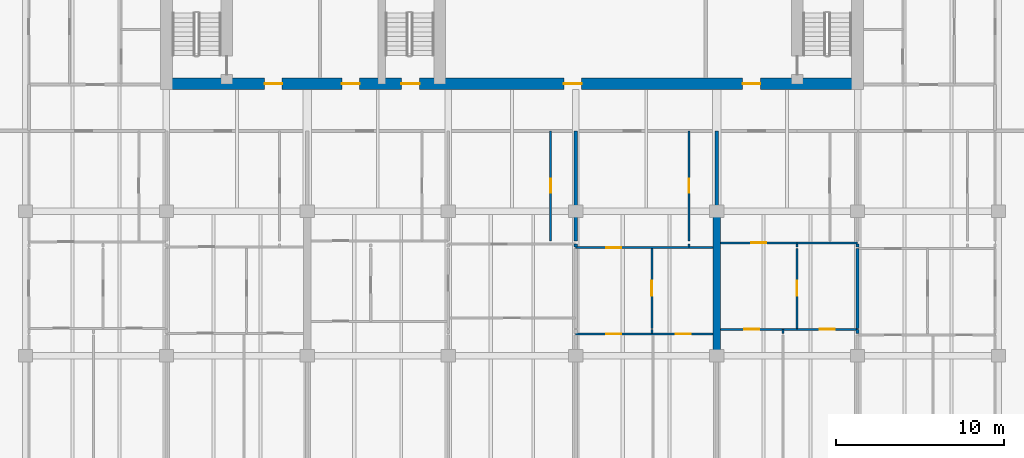
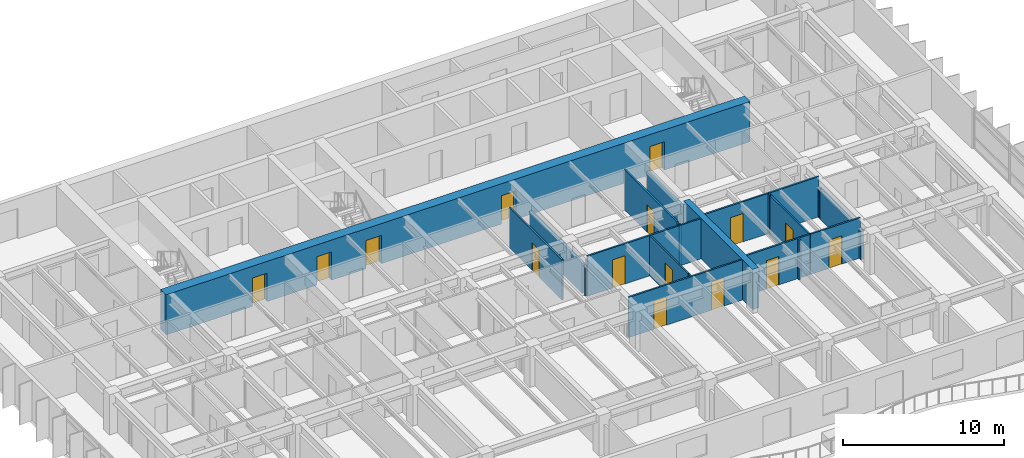
# One storey, part 11 of 19: 22 walls, 15 doors, 15 openings.
"""IFC4 building model written with IfcOpenShell, lengths in metres."""

import ifcopenshell
import ifcopenshell.guid

model = None  # the IFC model being written
_history = None  # IfcOwnerHistory: only IFC2X3 demands one
_inside = {}  # id of a spatial element -> (the spatial element, [elements in it])
_under = {}  # id of a project, library or spatial element -> (it, [spatial elements below it])
_declared = {}  # id of a project -> (the project, [libraries it declares])
_typed = {}  # id of a type object -> (the type object, [elements of that type])
_made_of = {}  # id of a material, layer set ... -> (it, [elements and type objects made of it])


def new_model(schema):
    """Start an empty IFC model of exactly this schema.

    Asked for "IFC4X3", IfcOpenShell would pick the latest addendum, in which some entities
    have other attributes; the version numbers below select the first issue.
    IFC2X3 requires an IfcOwnerHistory on every rooted entity: one is made here for all.
    """
    global model, _history
    if schema == "IFC4X3":
        model = ifcopenshell.file(schema_version=(4, 3, 0, 0))
    else:
        model = ifcopenshell.file(schema=schema)
    _inside.clear()
    _under.clear()
    _declared.clear()
    _typed.clear()
    _made_of.clear()
    _history = None
    if model.schema == "IFC2X3":
        org = make("IfcOrganization", Name="unknown")
        user = make(
            "IfcPersonAndOrganization",
            ThePerson=make("IfcPerson", FamilyName="unknown"),
            TheOrganization=org,
        )
        app = make(
            "IfcApplication",
            ApplicationDeveloper=org,
            Version="unknown",
            ApplicationFullName="unknown",
            ApplicationIdentifier="unknown",
        )
        _history = make(
            "IfcOwnerHistory",
            OwningUser=user,
            OwningApplication=app,
            ChangeAction="ADDED",
            CreationDate=0,
        )
    return model


def make(cls, **values):
    """One entity of the class cls with the attributes given. An attribute that is None is left unset."""
    return model.create_entity(
        cls, **{name: value for name, value in values.items() if value is not None}
    )


def rooted(cls, **values):
    """An entity with a GlobalId (a new one), such as an element, a storey or a relation."""
    return make(cls, GlobalId=ifcopenshell.guid.new(), OwnerHistory=_history, **values)


def si_unit(unit_type, name, prefix=None):
    """IfcSIUnit, for example si_unit("LENGTHUNIT", "METRE", prefix="MILLI")."""
    return make("IfcSIUnit", UnitType=unit_type, Prefix=prefix, Name=name)


def assignment(units):
    """IfcUnitAssignment: the units of a project."""
    return None if units is None else make("IfcUnitAssignment", Units=units)


def point(xyz):
    """IfcCartesianPoint."""
    return None if xyz is None else make("IfcCartesianPoint", Coordinates=xyz)


def direction(xyz):
    """IfcDirection."""
    return None if xyz is None else make("IfcDirection", DirectionRatios=xyz)


def frame(location, z_axis=None, x_axis=None):
    """IfcAxis2Placement3D, a coordinate frame: its origin and axes. An axis left out is left unset."""
    return make(
        "IfcAxis2Placement3D",
        Location=point(location),
        Axis=direction(z_axis),
        RefDirection=direction(x_axis),
    )


def frame_2d(location, x_axis=None):
    """IfcAxis2Placement2D, a coordinate frame in the plane: its origin and x axis."""
    return make(
        "IfcAxis2Placement2D", Location=point(location), RefDirection=direction(x_axis)
    )


def origin():
    """The frame at (0, 0, 0) with its axes left unset."""
    return frame((0.0, 0.0, 0.0))


def place(relative_to, where):
    """IfcLocalPlacement: puts the frame where relative to a parent placement (None: the world)."""
    return make(
        "IfcLocalPlacement", PlacementRelTo=relative_to, RelativePlacement=where
    )


def context(
    kind, dimensions, precision=None, world=None, true_north=None, identifier=None
):
    """IfcGeometricRepresentationContext, for example the 3D "Model" context."""
    return make(
        "IfcGeometricRepresentationContext",
        ContextIdentifier=identifier,
        ContextType=kind,
        CoordinateSpaceDimension=dimensions,
        Precision=precision,
        WorldCoordinateSystem=world,
        TrueNorth=true_north,
    )


def subcontext(parent, identifier, kind, view, scale=None):
    """IfcGeometricRepresentationSubContext, for example "Body" below "Model"."""
    return make(
        "IfcGeometricRepresentationSubContext",
        ContextIdentifier=identifier,
        ContextType=kind,
        ParentContext=parent,
        TargetScale=scale,
        TargetView=view,
    )


def project(units=None, contexts=None):
    """IfcProject with its units and contexts."""
    return rooted(
        "IfcProject",
        Name="project",
        RepresentationContexts=contexts,
        UnitsInContext=assignment(units),
    )


def spatial(cls, under=None, at=None, **own):
    """A site, building, storey or space (cls), placed at a placement, below another one or the project."""
    s = rooted(cls, ObjectPlacement=at, **own)
    if under is not None:
        _under.setdefault(under.id(), (under, []))[1].append(s)
    return s


def profile(cls, at=None, kind="AREA", **sizes):
    """A parametric profile (cls). Its sizes go by their IFC names, for example OverallWidth=200.0."""
    return make(cls, ProfileType=kind, Position=at, **sizes)


def rectangle(**sizes):
    """IfcRectangleProfileDef."""
    return profile("IfcRectangleProfileDef", **sizes)


def extrude(swept, where, along, depth):
    """IfcExtrudedAreaSolid: the profile swept, set in the frame where, extruded along a direction by depth."""
    return make(
        "IfcExtrudedAreaSolid",
        SweptArea=swept,
        Position=where,
        ExtrudedDirection=direction(along),
        Depth=depth,
    )


def shape(context_of_items, identifier, shape_type, items):
    """IfcShapeRepresentation: the items that make up one representation, for example the "Body"."""
    return make(
        "IfcShapeRepresentation",
        ContextOfItems=context_of_items,
        RepresentationIdentifier=identifier,
        RepresentationType=shape_type,
        Items=items,
    )


def material(Name=None, Category=None):
    """IfcMaterial."""
    return make("IfcMaterial", Name=Name, Category=Category)


def layer(
    of_material, thickness, ventilated=None, Name=None, Category=None, Priority=None
):
    """IfcMaterialLayer: one layer of a wall or slab, of a material (None: an air gap)."""
    return make(
        "IfcMaterialLayer",
        Material=of_material,
        LayerThickness=thickness,
        IsVentilated=ventilated,
        Name=Name,
        Category=Category,
        Priority=Priority,
    )


def layer_set(layers, Name=None):
    """IfcMaterialLayerSet."""
    return make("IfcMaterialLayerSet", MaterialLayers=layers, LayerSetName=Name)


def made_of(thing, what):
    """Note that an element or type object is made of a material, layer set ...; save() writes the relation."""
    if what is not None:
        _made_of.setdefault(what.id(), (what, []))[1].append(thing)
    return thing


def type_object(cls, material=None, **own):
    """A type object (cls), such as IfcWallType, which elements share."""
    return made_of(rooted(cls, **own), material)


def element(
    cls,
    number,
    at=None,
    inside=None,
    cuts=None,
    type_object=None,
    material=None,
    context=None,
    identifier="Body",
    shape_type=None,
    held_by="IfcProductDefinitionShape",
    body=None,
    shapes=None,
    **own,
):
    """One element of the class cls, such as IfcWall. Its Tag is "e" and its number.

    at: its placement. inside: the storey or other place that contains it. cuts: it is an
    opening in that element (IfcRelVoidsElement). A single representation is given by context,
    identifier, shape_type and body (its items); several are given by shapes. held_by: the class
    of the entity that holds the representations. save() writes the other relations.
    """
    e = rooted(cls, Tag="e%d" % number, ObjectPlacement=at, **own)
    if body is not None:
        shapes = [shape(context, identifier, shape_type, body)]
    if shapes is not None:
        e.Representation = make(held_by, Representations=shapes)
    if inside is not None:
        _inside.setdefault(inside.id(), (inside, []))[1].append(e)
    if cuts is not None:
        rooted(
            "IfcRelVoidsElement", RelatingBuildingElement=cuts, RelatedOpeningElement=e
        )
    if type_object is not None:
        _typed.setdefault(type_object.id(), (type_object, []))[1].append(e)
    return made_of(e, material)


def fill(opening, filler):
    """IfcRelFillsElement: the door or window that sits in an opening."""
    return rooted(
        "IfcRelFillsElement",
        RelatingOpeningElement=opening,
        RelatedBuildingElement=filler,
    )


def aggregate(whole, parts):
    """IfcRelAggregates: a whole, such as a stair, and the parts it consists of."""
    return rooted("IfcRelAggregates", RelatingObject=whole, RelatedObjects=parts)


def save(model, path):
    """Write the relations noted so far, then the file.

    IfcRelAggregates (storeys below a building ...), IfcRelContainedInSpatialStructure (elements
    in a storey), IfcRelDefinesByType, IfcRelAssociatesMaterial and IfcRelDeclares: one each for
    every whole, place, type object, material and project.
    """
    for whole, parts in _under.values():
        aggregate(whole, parts)
    for where, things in _inside.values():
        rooted(
            "IfcRelContainedInSpatialStructure",
            RelatedElements=things,
            RelatingStructure=where,
        )
    for kind, things in _typed.values():
        rooted("IfcRelDefinesByType", RelatedObjects=things, RelatingType=kind)
    for what, things in _made_of.values():
        rooted("IfcRelAssociatesMaterial", RelatedObjects=things, RelatingMaterial=what)
    for by, libraries in _declared.values():
        rooted("IfcRelDeclares", RelatingContext=by, RelatedDefinitions=libraries)
    model.write(path)


model = new_model("IFC4")

# Units and contexts
model_context = context("Model", 3, precision=1e-05, world=origin(), true_north=direction((0.0, 1.0)))
body_context = subcontext(model_context, "Body", "Model", "MODEL_VIEW")
ifc_project = project(units=[si_unit("LENGTHUNIT", "METRE"), si_unit("AREAUNIT", "SQUARE_METRE"), si_unit("VOLUMEUNIT", "CUBIC_METRE"), si_unit("PLANEANGLEUNIT", "RADIAN"), si_unit("MASSUNIT", "GRAM", prefix="KILO")], contexts=[model_context])

# Site, building, storey
site_placement = place(None, origin())
site = spatial("IfcSite", under=ifc_project, at=site_placement, CompositionType="ELEMENT")
building_placement = place(site_placement, origin())
building = spatial("IfcBuilding", under=site, at=building_placement, Name="Caelmar Bay Residences", CompositionType="ELEMENT")
storey_placement = place(building_placement, frame((0.0, 0.0, 160.5)))
storey = spatial("IfcBuildingStorey", under=building, at=storey_placement, Name="L44", CompositionType="ELEMENT", Elevation=160.5)

# Wall, openings, doors
ifc_material_1 = material(Name="Concrete f'c 55 MPa (8,000 psi)", Category="concrete")
ifc_layer_1 = layer(ifc_material_1, 0.699951171875)
ifc_layer_set_1 = layer_set([ifc_layer_1], Name="Concrete f'c 55 MPa (8,000 psi)")
wall_type_1 = type_object("IfcWallType", Name="SW-COR-700", PredefinedType="SHEAR", material=ifc_layer_set_1)
wall_1_placement = place(storey_placement, frame((17.949951171875, 37.0, 0.0), z_axis=(0.0, 0.0, 1.0), x_axis=(1.0, 0.0, 0.0)))
wall_1 = element("IfcWall", 1, at=wall_1_placement, inside=storey, type_object=wall_type_1, Name="L44 Rear Core South Shear Wall", PredefinedType="SHEAR", context=body_context, shape_type="SweptSolid", body=[
    extrude(rectangle(XDim=41.900146484375, YDim=0.699951171875, at=frame_2d((20.9501953125, 0.0))), origin(), (0.0, 0.0, 1.0), 3.050048828125),
])
opening_1_placement = place(wall_1_placement, frame((14.35009765625, 0.0, 0.0)))
opening_1 = element("IfcOpeningElement", 2, at=opening_1_placement, cuts=wall_1, Name="Opening D-L44-105", PredefinedType="OPENING", context=body_context, shape_type="SweptSolid", body=[
    extrude(rectangle(XDim=1.10009765625, YDim=2.14990234375, at=frame_2d((0.550048828125, 1.074951171875))), frame((0.0, 0.35986328125, 0.0), z_axis=(0.0, -1.0, 0.0), x_axis=(1.0, 0.0, 0.0)), (0.0, 0.0, 1.0), 0.719970703125),
])
opening_2_placement = place(wall_1_placement, frame((6.199951171875, 0.0, 0.0)))
opening_2 = element("IfcOpeningElement", 3, at=opening_2_placement, cuts=wall_1, Name="Opening D-L44-106", PredefinedType="OPENING", context=body_context, shape_type="SweptSolid", body=[
    extrude(rectangle(XDim=1.050048828125, YDim=2.14990234375, at=frame_2d((0.52490234375, 1.074951171875))), frame((0.0, 0.35986328125, 0.0), z_axis=(0.0, -1.0, 0.0), x_axis=(1.0, 0.0, 0.0)), (0.0, 0.0, 1.0), 0.719970703125),
])
opening_3_placement = place(wall_1_placement, frame((34.699951171875, 0.0, 0.0)))
opening_3 = element("IfcOpeningElement", 4, at=opening_3_placement, cuts=wall_1, Name="Opening D-L44-109", PredefinedType="OPENING", context=body_context, shape_type="SweptSolid", body=[
    extrude(rectangle(XDim=1.050048828125, YDim=2.14990234375, at=frame_2d((0.52490234375, 1.074951171875))), frame((0.0, 0.35986328125, 0.0), z_axis=(0.0, -1.0, 0.0), x_axis=(1.0, 0.0, 0.0)), (0.0, 0.0, 1.0), 0.719970703125),
])
opening_4_placement = place(wall_1_placement, frame((10.8125, 0.0, 0.0)))
opening_4 = element("IfcOpeningElement", 5, at=opening_4_placement, cuts=wall_1, Name="Opening D-L44-112", PredefinedType="OPENING", context=body_context, shape_type="SweptSolid", body=[
    extrude(rectangle(XDim=1.050048828125, YDim=2.14990234375, at=frame_2d((0.52490234375, 1.074951171875))), frame((0.0, 0.35986328125, 0.0), z_axis=(0.0, -1.0, 0.0), x_axis=(1.0, 0.0, 0.0)), (0.0, 0.0, 1.0), 0.719970703125),
])
opening_5_placement = place(wall_1_placement, frame((24.050048828125, 0.0, 0.0)))
opening_5 = element("IfcOpeningElement", 6, at=opening_5_placement, cuts=wall_1, Name="Opening D-L44-113", PredefinedType="OPENING", context=body_context, shape_type="SweptSolid", body=[
    extrude(rectangle(XDim=1.050048828125, YDim=2.14990234375, at=frame_2d((0.52490234375, 1.074951171875))), frame((0.0, 0.35986328125, 0.0), z_axis=(0.0, -1.0, 0.0), x_axis=(1.0, 0.0, 0.0)), (0.0, 0.0, 1.0), 0.719970703125),
])
ifc_material_2 = material(Name="Fire-rated steel and walnut architectural door assembly", Category="steel")
ifc_layer_2 = layer(ifc_material_2, 0.050048828125)
ifc_layer_set_2 = layer_set([ifc_layer_2], Name="Fire-rated steel and walnut architectural door assembly")
door_type_1 = type_object("IfcDoorType", Name="D-FSAE-1050", OperationType="NOTDEFINED", PredefinedType="DOOR", material=ifc_layer_set_2)
door_1_placement = place(opening_2_placement, origin())
door_1 = element("IfcDoor", 7, at=door_1_placement, inside=storey, type_object=door_type_1, Name="L44 Firefighting Lobby West Door", OperationType="SINGLE_SWING_LEFT", OverallHeight=2.14990234375, OverallWidth=1.050048828125, PredefinedType="DOOR", context=body_context, shape_type="SweptSolid", body=[
    extrude(rectangle(XDim=1.050048828125, YDim=2.14990234375, at=frame_2d((0.52490234375, 1.074951171875))), frame((0.0, 0.02490234375, 0.0), z_axis=(0.0, -1.0, 0.0), x_axis=(1.0, 0.0, 0.0)), (0.0, 0.0, 1.0), 0.050048828125),
])
fill(opening_2, door_1)
door_2_placement = place(opening_3_placement, origin())
door_2 = element("IfcDoor", 8, at=door_2_placement, inside=storey, type_object=door_type_1, Name="L44 Firefighting Lobby East Door", OperationType="SINGLE_SWING_RIGHT", OverallHeight=2.14990234375, OverallWidth=1.050048828125, PredefinedType="DOOR", context=body_context, shape_type="SweptSolid", body=[
    extrude(rectangle(XDim=1.050048828125, YDim=2.14990234375, at=frame_2d((0.52490234375, 1.074951171875))), frame((0.0, 0.02490234375, 0.0), z_axis=(0.0, -1.0, 0.0), x_axis=(1.0, 0.0, 0.0)), (0.0, 0.0, 1.0), 0.050048828125),
])
fill(opening_3, door_2)
door_3_placement = place(opening_4_placement, origin())
door_3 = element("IfcDoor", 9, at=door_3_placement, inside=storey, type_object=door_type_1, Name="L44 West Lift Lobby Door", OperationType="SINGLE_SWING_LEFT", OverallHeight=2.14990234375, OverallWidth=1.050048828125, PredefinedType="DOOR", context=body_context, shape_type="SweptSolid", body=[
    extrude(rectangle(XDim=1.050048828125, YDim=2.14990234375, at=frame_2d((0.52490234375, 1.074951171875))), frame((0.0, 0.02490234375, 0.0), z_axis=(0.0, -1.0, 0.0), x_axis=(1.0, 0.0, 0.0)), (0.0, 0.0, 1.0), 0.050048828125),
])
fill(opening_4, door_3)
door_4_placement = place(opening_5_placement, origin())
door_4 = element("IfcDoor", 10, at=door_4_placement, inside=storey, type_object=door_type_1, Name="L44 Passenger Lift Lobby Door", OperationType="SINGLE_SWING_RIGHT", OverallHeight=2.14990234375, OverallWidth=1.050048828125, PredefinedType="DOOR", context=body_context, shape_type="SweptSolid", body=[
    extrude(rectangle(XDim=1.050048828125, YDim=2.14990234375, at=frame_2d((0.52490234375, 1.074951171875))), frame((0.0, 0.02490234375, 0.0), z_axis=(0.0, -1.0, 0.0), x_axis=(1.0, 0.0, 0.0)), (0.0, 0.0, 1.0), 0.050048828125),
])
fill(opening_5, door_4)
ifc_layer_3 = layer(ifc_material_2, 0.050048828125)
ifc_layer_set_3 = layer_set([ifc_layer_3], Name="Fire-rated steel and walnut architectural door assembly")
door_type_2 = type_object("IfcDoorType", Name="D-STAIR-1100", OperationType="NOTDEFINED", PredefinedType="DOOR", material=ifc_layer_set_3)
door_5_placement = place(opening_1_placement, origin())
door_5 = element("IfcDoor", 11, at=door_5_placement, inside=storey, type_object=door_type_2, Name="L44 Exit Stair ST3 Door", OperationType="SINGLE_SWING_RIGHT", OverallHeight=2.14990234375, OverallWidth=1.10009765625, PredefinedType="DOOR", context=body_context, shape_type="SweptSolid", body=[
    extrude(rectangle(XDim=1.10009765625, YDim=2.14990234375, at=frame_2d((0.550048828125, 1.074951171875))), frame((0.0, 0.02490234375, 0.0), z_axis=(0.0, -1.0, 0.0), x_axis=(1.0, 0.0, 0.0)), (0.0, 0.0, 1.0), 0.050048828125),
])
fill(opening_1, door_5)

# Wall
ifc_layer_4 = layer(ifc_material_1, 0.449951171875)
ifc_layer_set_4 = layer_set([ifc_layer_4], Name="Concrete f'c 55 MPa (8,000 psi)")
wall_type_2 = type_object("IfcWallType", Name="SW-XSLB-450", PredefinedType="SHEAR", material=ifc_layer_set_4)
wall_2_placement = place(storey_placement, frame((51.10009765625, 20.800048828125, 0.0), z_axis=(0.0, 0.0, 1.0), x_axis=(0.0, 1.0, 0.0)))
element("IfcWall", 12, at=wall_2_placement, inside=storey, type_object=wall_type_2, Name="L44 Transverse Cross-Slab Shear Wall E8", PredefinedType="SHEAR", context=body_context, shape_type="SweptSolid", body=[
    extrude(rectangle(XDim=8.599853515625, YDim=0.449951171875, at=frame_2d((4.2998046875, 0.0))), origin(), (0.0, 0.0, 1.0), 3.050048828125),
])

# Wall, opening, door
ifc_material_3 = material(Name="Acoustic metal-stud gypsum partition 120 mm")
ifc_layer_5 = layer(ifc_material_3, 0.1201171875)
ifc_layer_set_5 = layer_set([ifc_layer_5], Name="Acoustic metal-stud gypsum partition 120 mm")
wall_type_3 = type_object("IfcWallType", Name="W-PRT-120", PredefinedType="PARTITIONING", material=ifc_layer_set_5)
wall_3_placement = place(storey_placement, frame((41.199951171875, 27.639892578125, 0.0), z_axis=(0.0, 0.0, 1.0), x_axis=(0.0, 1.0, 0.0)))
wall_3 = element("IfcWall", 13, at=wall_3_placement, inside=storey, type_object=wall_type_3, Name="L44 Partition Wall V047", PredefinedType="PARTITIONING", context=body_context, shape_type="SweptSolid", body=[
    extrude(rectangle(XDim=6.56005859375, YDim=0.1201171875, at=frame_2d((3.280029296875, 0.0))), origin(), (0.0, 0.0, 1.0), 3.050048828125),
])
opening_6_placement = place(wall_3_placement, frame((2.85498046875, 0.0, 0.0)))
opening_6 = element("IfcOpeningElement", 14, at=opening_6_placement, cuts=wall_3, Name="Opening D-L44-142", PredefinedType="OPENING", context=body_context, shape_type="SweptSolid", body=[
    extrude(rectangle(XDim=0.85009765625, YDim=2.10009765625, at=frame_2d((0.425048828125, 1.050048828125))), frame((0.0, 0.070068359375, 0.0), z_axis=(0.0, -1.0, 0.0), x_axis=(1.0, 0.0, 0.0)), (0.0, 0.0, 1.0), 0.14013671875),
])
ifc_material_4 = material(Name="Solid walnut timber interior door leaf and frame", Category="wood")
ifc_layer_6 = layer(ifc_material_4, 0.050048828125)
ifc_layer_set_6 = layer_set([ifc_layer_6], Name="Solid walnut timber interior door leaf and frame")
door_type_3 = type_object("IfcDoorType", Name="D-BATH-850", OperationType="NOTDEFINED", PredefinedType="DOOR", material=ifc_layer_set_6)
door_6_placement = place(opening_6_placement, origin())
door_6 = element("IfcDoor", 15, at=door_6_placement, inside=storey, type_object=door_type_3, Name="L44 Residence 03 En-Suite Bathroom 1 Door", OperationType="SINGLE_SWING_LEFT", OverallHeight=2.10009765625, OverallWidth=0.85009765625, PredefinedType="DOOR", context=body_context, shape_type="SweptSolid", body=[
    extrude(rectangle(XDim=0.85009765625, YDim=2.10009765625, at=frame_2d((0.425048828125, 1.050048828125))), frame((0.0, 0.02490234375, 0.0), z_axis=(0.0, -1.0, 0.0), x_axis=(1.0, 0.0, 0.0)), (0.0, 0.0, 1.0), 0.050048828125),
])
fill(opening_6, door_6)

# Wall
wall_4_placement = place(storey_placement, frame((47.236083984375, 22.1298828125, 0.0), z_axis=(0.0, 0.0, 1.0), x_axis=(0.0, 1.0, 0.0)))
element("IfcWall", 16, at=wall_4_placement, inside=storey, type_object=wall_type_3, Name="L44 Partition Wall V058", PredefinedType="PARTITIONING", context=body_context, shape_type="SweptSolid", body=[
    extrude(rectangle(XDim=0.240234375, YDim=0.1201171875, at=frame_2d((0.1201171875, 0.0))), origin(), (0.0, 0.0, 1.0), 3.050048828125),
])

# Wall, opening, door
wall_5_placement = place(storey_placement, frame((47.236083984375, 22.429931640625, 0.0), z_axis=(0.0, 0.0, 1.0), x_axis=(0.0, 1.0, 0.0)))
wall_5 = element("IfcWall", 17, at=wall_5_placement, inside=storey, type_object=wall_type_3, Name="L44 Partition Wall V059", PredefinedType="PARTITIONING", context=body_context, shape_type="SweptSolid", body=[
    extrude(rectangle(XDim=4.75, YDim=0.1201171875, at=frame_2d((2.375, 0.0))), origin(), (0.0, 0.0, 1.0), 3.050048828125),
])
opening_7_placement = place(wall_5_placement, frame((1.925048828125, 0.0, 0.0)))
opening_7 = element("IfcOpeningElement", 18, at=opening_7_placement, cuts=wall_5, Name="Opening D-L44-148", PredefinedType="OPENING", context=body_context, shape_type="SweptSolid", body=[
    extrude(rectangle(XDim=0.89990234375, YDim=2.14990234375, at=frame_2d((0.449951171875, 1.074951171875))), frame((0.0, 0.070068359375, 0.0), z_axis=(0.0, -1.0, 0.0), x_axis=(1.0, 0.0, 0.0)), (0.0, 0.0, 1.0), 0.14013671875),
])
ifc_layer_7 = layer(ifc_material_4, 0.050048828125)
ifc_layer_set_7 = layer_set([ifc_layer_7], Name="Solid walnut timber interior door leaf and frame")
door_type_4 = type_object("IfcDoorType", Name="D-ROOM-900", OperationType="NOTDEFINED", PredefinedType="DOOR", material=ifc_layer_set_7)
door_7_placement = place(opening_7_placement, origin())
door_7 = element("IfcDoor", 19, at=door_7_placement, inside=storey, type_object=door_type_4, Name="L44 Residence 04 Study Door", OperationType="SINGLE_SWING_LEFT", OverallHeight=2.14990234375, OverallWidth=0.89990234375, PredefinedType="DOOR", context=body_context, shape_type="SweptSolid", body=[
    extrude(rectangle(XDim=0.89990234375, YDim=2.14990234375, at=frame_2d((0.449951171875, 1.074951171875))), frame((0.0, 0.02490234375, 0.0), z_axis=(0.0, -1.0, 0.0), x_axis=(1.0, 0.0, 0.0)), (0.0, 0.0, 1.0), 0.050048828125),
])
fill(opening_7, door_7)

# Wall
wall_6_placement = place(storey_placement, frame((49.449951171875, 27.280029296875, 0.0), z_axis=(0.0, 0.0, 1.0), x_axis=(0.0, 1.0, 0.0)))
element("IfcWall", 20, at=wall_6_placement, inside=storey, type_object=wall_type_3, Name="L44 Partition Wall V063", PredefinedType="PARTITIONING", context=body_context, shape_type="SweptSolid", body=[
    extrude(rectangle(XDim=0.159912109375, YDim=0.1201171875, at=frame_2d((0.080078125, 0.0))), origin(), (0.0, 0.0, 1.0), 3.050048828125),
])

# Wall, opening, door
wall_7_placement = place(storey_placement, frame((49.449951171875, 27.639892578125, 0.0), z_axis=(0.0, 0.0, 1.0), x_axis=(0.0, 1.0, 0.0)))
wall_7 = element("IfcWall", 21, at=wall_7_placement, inside=storey, type_object=wall_type_3, Name="L44 Partition Wall V064", PredefinedType="PARTITIONING", context=body_context, shape_type="SweptSolid", body=[
    extrude(rectangle(XDim=6.56005859375, YDim=0.1201171875, at=frame_2d((3.280029296875, 0.0))), origin(), (0.0, 0.0, 1.0), 3.050048828125),
])
opening_8_placement = place(wall_7_placement, frame((2.85498046875, 0.0, 0.0)))
opening_8 = element("IfcOpeningElement", 22, at=opening_8_placement, cuts=wall_7, Name="Opening D-L44-146", PredefinedType="OPENING", context=body_context, shape_type="SweptSolid", body=[
    extrude(rectangle(XDim=0.85009765625, YDim=2.10009765625, at=frame_2d((0.425048828125, 1.050048828125))), frame((0.0, 0.070068359375, 0.0), z_axis=(0.0, -1.0, 0.0), x_axis=(1.0, 0.0, 0.0)), (0.0, 0.0, 1.0), 0.14013671875),
])
door_8_placement = place(opening_8_placement, origin())
door_8 = element("IfcDoor", 23, at=door_8_placement, inside=storey, type_object=door_type_3, Name="L44 Residence 04 Bathroom Door", OperationType="SINGLE_SWING_LEFT", OverallHeight=2.10009765625, OverallWidth=0.85009765625, PredefinedType="DOOR", context=body_context, shape_type="SweptSolid", body=[
    extrude(rectangle(XDim=0.85009765625, YDim=2.10009765625, at=frame_2d((0.425048828125, 1.050048828125))), frame((0.0, 0.02490234375, 0.0), z_axis=(0.0, -1.0, 0.0), x_axis=(1.0, 0.0, 0.0)), (0.0, 0.0, 1.0), 0.050048828125),
])
fill(opening_8, door_8)

# Wall
wall_8_placement = place(storey_placement, frame((55.048095703125, 22.1298828125, 0.0), z_axis=(0.0, 0.0, 1.0), x_axis=(0.0, 1.0, 0.0)))
element("IfcWall", 24, at=wall_8_placement, inside=storey, type_object=wall_type_3, Name="L44 Partition Wall V074", PredefinedType="PARTITIONING", context=body_context, shape_type="SweptSolid", body=[
    extrude(rectangle(XDim=0.240234375, YDim=0.1201171875, at=frame_2d((0.1201171875, 0.0))), origin(), (0.0, 0.0, 1.0), 3.050048828125),
])

# Wall, opening, door
wall_9_placement = place(storey_placement, frame((55.885986328125, 22.429931640625, 0.0), z_axis=(0.0, 0.0, 1.0), x_axis=(0.0, 1.0, 0.0)))
wall_9 = element("IfcWall", 25, at=wall_9_placement, inside=storey, type_object=wall_type_3, Name="L44 Partition Wall V075", PredefinedType="PARTITIONING", context=body_context, shape_type="SweptSolid", body=[
    extrude(rectangle(XDim=4.75, YDim=0.1201171875, at=frame_2d((2.375, 0.0))), origin(), (0.0, 0.0, 1.0), 3.050048828125),
])
opening_9_placement = place(wall_9_placement, frame((1.925048828125, 0.0, 0.0)))
opening_9 = element("IfcOpeningElement", 26, at=opening_9_placement, cuts=wall_9, Name="Opening D-L44-154", PredefinedType="OPENING", context=body_context, shape_type="SweptSolid", body=[
    extrude(rectangle(XDim=0.89990234375, YDim=2.14990234375, at=frame_2d((0.449951171875, 1.074951171875))), frame((0.0, 0.070068359375, 0.0), z_axis=(0.0, -1.0, 0.0), x_axis=(1.0, 0.0, 0.0)), (0.0, 0.0, 1.0), 0.14013671875),
])
door_9_placement = place(opening_9_placement, origin())
door_9 = element("IfcDoor", 27, at=door_9_placement, inside=storey, type_object=door_type_4, Name="L44 Residence 05 Study Door", OperationType="SINGLE_SWING_LEFT", OverallHeight=2.14990234375, OverallWidth=0.89990234375, PredefinedType="DOOR", context=body_context, shape_type="SweptSolid", body=[
    extrude(rectangle(XDim=0.89990234375, YDim=2.14990234375, at=frame_2d((0.449951171875, 1.074951171875))), frame((0.0, 0.02490234375, 0.0), z_axis=(0.0, -1.0, 0.0), x_axis=(1.0, 0.0, 0.0)), (0.0, 0.0, 1.0), 0.050048828125),
])
fill(opening_9, door_9)

# Wall
wall_10_placement = place(storey_placement, frame((55.885986328125, 27.280029296875, 0.0), z_axis=(0.0, 0.0, 1.0), x_axis=(0.0, 1.0, 0.0)))
element("IfcWall", 28, at=wall_10_placement, inside=storey, type_object=wall_type_3, Name="L44 Partition Wall V076", PredefinedType="PARTITIONING", context=body_context, shape_type="SweptSolid", body=[
    extrude(rectangle(XDim=0.159912109375, YDim=0.1201171875, at=frame_2d((0.080078125, 0.0))), origin(), (0.0, 0.0, 1.0), 3.050048828125),
])

# Wall, openings, doors
wall_11_placement = place(storey_placement, frame((42.699951171875, 22.090087890625, 0.0), z_axis=(0.0, 0.0, 1.0), x_axis=(1.0, 0.0, 0.0)))
wall_11 = element("IfcWall", 29, at=wall_11_placement, inside=storey, type_object=wall_type_3, Name="L44 Partition Wall H106", PredefinedType="PARTITIONING", context=body_context, shape_type="SweptSolid", body=[
    extrude(rectangle(XDim=8.179931640625, YDim=0.1201171875, at=frame_2d((4.08984375, 0.0))), origin(), (0.0, 0.0, 1.0), 3.050048828125),
])
opening_10_placement = place(wall_11_placement, frame((1.818115234375, 0.0, 0.0)))
opening_10 = element("IfcOpeningElement", 30, at=opening_10_placement, cuts=wall_11, Name="Opening D-L44-149", PredefinedType="OPENING", context=body_context, shape_type="SweptSolid", body=[
    extrude(rectangle(XDim=0.89990234375, YDim=2.14990234375, at=frame_2d((0.449951171875, 1.074951171875))), frame((0.0, 0.070068359375, 0.0), z_axis=(0.0, -1.0, 0.0), x_axis=(1.0, 0.0, 0.0)), (0.0, 0.0, 1.0), 0.14013671875),
])
opening_11_placement = place(wall_11_placement, frame((5.949951171875, 0.0, 0.0)))
opening_11 = element("IfcOpeningElement", 31, at=opening_11_placement, cuts=wall_11, Name="Opening D-L44-150", PredefinedType="OPENING", context=body_context, shape_type="SweptSolid", body=[
    extrude(rectangle(XDim=0.89990234375, YDim=2.14990234375, at=frame_2d((0.449951171875, 1.074951171875))), frame((0.0, 0.070068359375, 0.0), z_axis=(0.0, -1.0, 0.0), x_axis=(1.0, 0.0, 0.0)), (0.0, 0.0, 1.0), 0.14013671875),
])
door_10_placement = place(opening_10_placement, origin())
door_10 = element("IfcDoor", 32, at=door_10_placement, inside=storey, type_object=door_type_4, Name="L44 Residence 04 Living Room Door", OperationType="SINGLE_SWING_RIGHT", OverallHeight=2.14990234375, OverallWidth=0.89990234375, PredefinedType="DOOR", context=body_context, shape_type="SweptSolid", body=[
    extrude(rectangle(XDim=0.89990234375, YDim=2.14990234375, at=frame_2d((0.449951171875, 1.074951171875))), frame((0.0, 0.02490234375, 0.0), z_axis=(0.0, -1.0, 0.0), x_axis=(1.0, 0.0, 0.0)), (0.0, 0.0, 1.0), 0.050048828125),
])
fill(opening_10, door_10)
door_11_placement = place(opening_11_placement, origin())
door_11 = element("IfcDoor", 33, at=door_11_placement, inside=storey, type_object=door_type_4, Name="L44 Residence 04 Primary Bedroom Door", OperationType="SINGLE_SWING_LEFT", OverallHeight=2.14990234375, OverallWidth=0.89990234375, PredefinedType="DOOR", context=body_context, shape_type="SweptSolid", body=[
    extrude(rectangle(XDim=0.89990234375, YDim=2.14990234375, at=frame_2d((0.449951171875, 1.074951171875))), frame((0.0, 0.02490234375, 0.0), z_axis=(0.0, -1.0, 0.0), x_axis=(1.0, 0.0, 0.0)), (0.0, 0.0, 1.0), 0.050048828125),
])
fill(opening_11, door_11)

# Wall, opening, door
wall_12_placement = place(storey_placement, frame((51.320068359375, 22.3701171875, 0.0), z_axis=(0.0, 0.0, 1.0), x_axis=(1.0, 0.0, 0.0)))
wall_12 = element("IfcWall", 34, at=wall_12_placement, inside=storey, type_object=wall_type_3, Name="L44 Partition Wall H108", PredefinedType="PARTITIONING", context=body_context, shape_type="SweptSolid", body=[
    extrude(rectangle(XDim=4.56591796875, YDim=0.1201171875, at=frame_2d((2.282958984375, 0.0))), origin(), (0.0, 0.0, 1.0), 3.050048828125),
])
opening_12_placement = place(wall_12_placement, frame((1.4140625, 0.0, 0.0)))
opening_12 = element("IfcOpeningElement", 35, at=opening_12_placement, cuts=wall_12, Name="Opening D-L44-155", PredefinedType="OPENING", context=body_context, shape_type="SweptSolid", body=[
    extrude(rectangle(XDim=0.89990234375, YDim=2.14990234375, at=frame_2d((0.449951171875, 1.074951171875))), frame((0.0, 0.070068359375, 0.0), z_axis=(0.0, -1.0, 0.0), x_axis=(1.0, 0.0, 0.0)), (0.0, 0.0, 1.0), 0.14013671875),
])
door_12_placement = place(opening_12_placement, origin())
door_12 = element("IfcDoor", 36, at=door_12_placement, inside=storey, type_object=door_type_4, Name="L44 Residence 05 Living Room Door", OperationType="SINGLE_SWING_RIGHT", OverallHeight=2.14990234375, OverallWidth=0.89990234375, PredefinedType="DOOR", context=body_context, shape_type="SweptSolid", body=[
    extrude(rectangle(XDim=0.89990234375, YDim=2.14990234375, at=frame_2d((0.449951171875, 1.074951171875))), frame((0.0, 0.02490234375, 0.0), z_axis=(0.0, -1.0, 0.0), x_axis=(1.0, 0.0, 0.0)), (0.0, 0.0, 1.0), 0.050048828125),
])
fill(opening_12, door_12)

wall_13_placement = place(storey_placement, frame((55.89990234375, 22.3701171875, 0.0), z_axis=(0.0, 0.0, 1.0), x_axis=(1.0, 0.0, 0.0)))
wall_13 = element("IfcWall", 37, at=wall_13_placement, inside=storey, type_object=wall_type_3, Name="L44 Partition Wall H109", PredefinedType="PARTITIONING", context=body_context, shape_type="SweptSolid", body=[
    extrude(rectangle(XDim=3.60009765625, YDim=0.1201171875, at=frame_2d((1.800048828125, 0.0))), origin(), (0.0, 0.0, 1.0), 3.050048828125),
])
opening_13_placement = place(wall_13_placement, frame((1.35009765625, 0.0, 0.0)))
opening_13 = element("IfcOpeningElement", 38, at=opening_13_placement, cuts=wall_13, Name="Opening D-L44-156", PredefinedType="OPENING", context=body_context, shape_type="SweptSolid", body=[
    extrude(rectangle(XDim=0.89990234375, YDim=2.14990234375, at=frame_2d((0.449951171875, 1.074951171875))), frame((0.0, 0.070068359375, 0.0), z_axis=(0.0, -1.0, 0.0), x_axis=(1.0, 0.0, 0.0)), (0.0, 0.0, 1.0), 0.14013671875),
])
door_13_placement = place(opening_13_placement, origin())
door_13 = element("IfcDoor", 39, at=door_13_placement, inside=storey, type_object=door_type_4, Name="L44 Residence 05 Penthouse Sitting Room Door", OperationType="SINGLE_SWING_LEFT", OverallHeight=2.14990234375, OverallWidth=0.89990234375, PredefinedType="DOOR", context=body_context, shape_type="SweptSolid", body=[
    extrude(rectangle(XDim=0.89990234375, YDim=2.14990234375, at=frame_2d((0.449951171875, 1.074951171875))), frame((0.0, 0.02490234375, 0.0), z_axis=(0.0, -1.0, 0.0), x_axis=(1.0, 0.0, 0.0)), (0.0, 0.0, 1.0), 0.050048828125),
])
fill(opening_13, door_13)

wall_14_placement = place(storey_placement, frame((42.699951171875, 27.239990234375, 0.0), z_axis=(0.0, 0.0, 1.0), x_axis=(1.0, 0.0, 0.0)))
wall_14 = element("IfcWall", 40, at=wall_14_placement, inside=storey, type_object=wall_type_3, Name="L44 Partition Wall H114", PredefinedType="PARTITIONING", context=body_context, shape_type="SweptSolid", body=[
    extrude(rectangle(XDim=8.179931640625, YDim=0.1201171875, at=frame_2d((4.08984375, 0.0))), origin(), (0.0, 0.0, 1.0), 3.050048828125),
])
opening_14_placement = place(wall_14_placement, frame((1.818115234375, 0.0, 0.0)))
opening_14 = element("IfcOpeningElement", 41, at=opening_14_placement, cuts=wall_14, Name="Opening D-L44-147", PredefinedType="OPENING", context=body_context, shape_type="SweptSolid", body=[
    extrude(rectangle(XDim=0.89990234375, YDim=2.14990234375, at=frame_2d((0.449951171875, 1.074951171875))), frame((0.0, 0.070068359375, 0.0), z_axis=(0.0, -1.0, 0.0), x_axis=(1.0, 0.0, 0.0)), (0.0, 0.0, 1.0), 0.14013671875),
])
door_14_placement = place(opening_14_placement, origin())
door_14 = element("IfcDoor", 42, at=door_14_placement, inside=storey, type_object=door_type_4, Name="L44 Residence 04 Kitchen Door", OperationType="SINGLE_SWING_RIGHT", OverallHeight=2.14990234375, OverallWidth=0.89990234375, PredefinedType="DOOR", context=body_context, shape_type="SweptSolid", body=[
    extrude(rectangle(XDim=0.89990234375, YDim=2.14990234375, at=frame_2d((0.449951171875, 1.074951171875))), frame((0.0, 0.02490234375, 0.0), z_axis=(0.0, -1.0, 0.0), x_axis=(1.0, 0.0, 0.0)), (0.0, 0.0, 1.0), 0.050048828125),
])
fill(opening_14, door_14)

wall_15_placement = place(storey_placement, frame((51.320068359375, 27.52001953125, 0.0), z_axis=(0.0, 0.0, 1.0), x_axis=(1.0, 0.0, 0.0)))
wall_15 = element("IfcWall", 43, at=wall_15_placement, inside=storey, type_object=wall_type_3, Name="L44 Partition Wall H117", PredefinedType="PARTITIONING", context=body_context, shape_type="SweptSolid", body=[
    extrude(rectangle(XDim=4.56591796875, YDim=0.1201171875, at=frame_2d((2.282958984375, 0.0))), origin(), (0.0, 0.0, 1.0), 3.050048828125),
])
opening_15_placement = place(wall_15_placement, frame((1.8330078125, 0.0, 0.0)))
opening_15 = element("IfcOpeningElement", 44, at=opening_15_placement, cuts=wall_15, Name="Opening D-L44-153", PredefinedType="OPENING", context=body_context, shape_type="SweptSolid", body=[
    extrude(rectangle(XDim=0.89990234375, YDim=2.14990234375, at=frame_2d((0.449951171875, 1.074951171875))), frame((0.0, 0.070068359375, 0.0), z_axis=(0.0, -1.0, 0.0), x_axis=(1.0, 0.0, 0.0)), (0.0, 0.0, 1.0), 0.14013671875),
])
door_15_placement = place(opening_15_placement, origin())
door_15 = element("IfcDoor", 45, at=door_15_placement, inside=storey, type_object=door_type_4, Name="L44 Residence 05 Kitchen Door", OperationType="SINGLE_SWING_RIGHT", OverallHeight=2.14990234375, OverallWidth=0.89990234375, PredefinedType="DOOR", context=body_context, shape_type="SweptSolid", body=[
    extrude(rectangle(XDim=0.89990234375, YDim=2.14990234375, at=frame_2d((0.449951171875, 1.074951171875))), frame((0.0, 0.02490234375, 0.0), z_axis=(0.0, -1.0, 0.0), x_axis=(1.0, 0.0, 0.0)), (0.0, 0.0, 1.0), 0.050048828125),
])
fill(opening_15, door_15)

# Walls
wall_16_placement = place(storey_placement, frame((55.89990234375, 27.52001953125, 0.0), z_axis=(0.0, 0.0, 1.0), x_axis=(1.0, 0.0, 0.0)))
element("IfcWall", 46, at=wall_16_placement, inside=storey, type_object=wall_type_3, Name="L44 Partition Wall H118", PredefinedType="PARTITIONING", context=body_context, shape_type="SweptSolid", body=[
    extrude(rectangle(XDim=3.60009765625, YDim=0.1201171875, at=frame_2d((1.800048828125, 0.0))), origin(), (0.0, 0.0, 1.0), 3.050048828125),
])
ifc_material_5 = material(Name="Acoustic twin-stud fire-rated inter-tenancy partition 200 mm")
ifc_layer_8 = layer(ifc_material_5, 0.199951171875)
ifc_layer_set_8 = layer_set([ifc_layer_8], Name="Acoustic twin-stud fire-rated inter-tenancy partition 200 mm")
wall_type_4 = type_object("IfcWallType", Name="W-PTY-200", PredefinedType="PARTITIONING", material=ifc_layer_set_8)
wall_17_placement = place(storey_placement, frame((42.699951171875, 27.280029296875, 0.0), z_axis=(0.0, 0.0, 1.0), x_axis=(0.0, 1.0, 0.0)))
element("IfcWall", 47, at=wall_17_placement, inside=storey, type_object=wall_type_4, Name="L44 Partition Wall V053", PredefinedType="PARTITIONING", context=body_context, shape_type="SweptSolid", body=[
    extrude(rectangle(XDim=0.159912109375, YDim=0.199951171875, at=frame_2d((0.080078125, 0.0))), origin(), (0.0, 0.0, 1.0), 2.262939453125),
])
wall_18_placement = place(storey_placement, frame((42.699951171875, 27.639892578125, 0.0), z_axis=(0.0, 0.0, 1.0), x_axis=(0.0, 1.0, 0.0)))
element("IfcWall", 48, at=wall_18_placement, inside=storey, type_object=wall_type_4, Name="L44 Partition Wall V054", PredefinedType="PARTITIONING", context=body_context, shape_type="SweptSolid", body=[
    extrude(rectangle(XDim=6.56005859375, YDim=0.199951171875, at=frame_2d((3.280029296875, 0.0))), origin(), (0.0, 0.0, 1.0), 2.262939453125),
])
wall_19_placement = place(storey_placement, frame((51.10009765625, 29.405029296875, 0.0), z_axis=(0.0, 0.0, 1.0), x_axis=(0.0, 1.0, 0.0)))
element("IfcWall", 49, at=wall_19_placement, inside=storey, type_object=wall_type_4, Name="L44 Partition Wall V070", PredefinedType="PARTITIONING", context=body_context, shape_type="SweptSolid", body=[
    extrude(rectangle(XDim=4.794921875, YDim=0.199951171875, at=frame_2d((2.3974609375, 0.0))), origin(), (0.0, 0.0, 1.0), 2.3349609375),
])
wall_20_placement = place(storey_placement, frame((59.5, 22.1298828125, 0.0), z_axis=(0.0, 0.0, 1.0), x_axis=(0.0, 1.0, 0.0)))
element("IfcWall", 50, at=wall_20_placement, inside=storey, type_object=wall_type_4, Name="L44 Partition Wall V081", PredefinedType="PARTITIONING", context=body_context, shape_type="SweptSolid", body=[
    extrude(rectangle(XDim=0.240234375, YDim=0.199951171875, at=frame_2d((0.1201171875, 0.0))), origin(), (0.0, 0.0, 1.0), 2.262939453125),
])
wall_21_placement = place(storey_placement, frame((59.5, 22.429931640625, 0.0), z_axis=(0.0, 0.0, 1.0), x_axis=(0.0, 1.0, 0.0)))
element("IfcWall", 51, at=wall_21_placement, inside=storey, type_object=wall_type_4, Name="L44 Partition Wall V082", PredefinedType="PARTITIONING", context=body_context, shape_type="SweptSolid", body=[
    extrude(rectangle(XDim=4.75, YDim=0.199951171875, at=frame_2d((2.375, 0.0))), origin(), (0.0, 0.0, 1.0), 2.262939453125),
])
wall_22_placement = place(storey_placement, frame((59.5, 27.280029296875, 0.0), z_axis=(0.0, 0.0, 1.0), x_axis=(0.0, 1.0, 0.0)))
element("IfcWall", 52, at=wall_22_placement, inside=storey, type_object=wall_type_4, Name="L44 Partition Wall V083", PredefinedType="PARTITIONING", context=body_context, shape_type="SweptSolid", body=[
    extrude(rectangle(XDim=0.159912109375, YDim=0.199951171875, at=frame_2d((0.080078125, 0.0))), origin(), (0.0, 0.0, 1.0), 2.262939453125),
])

save(model, "model.ifc")
